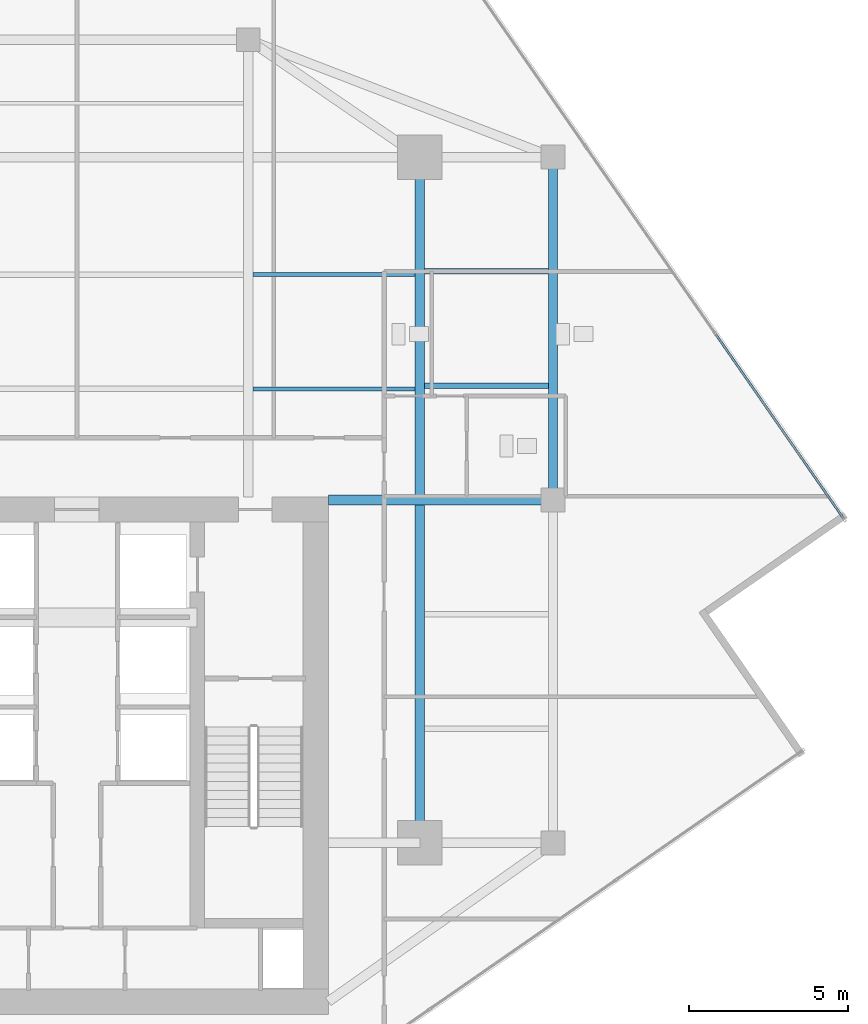
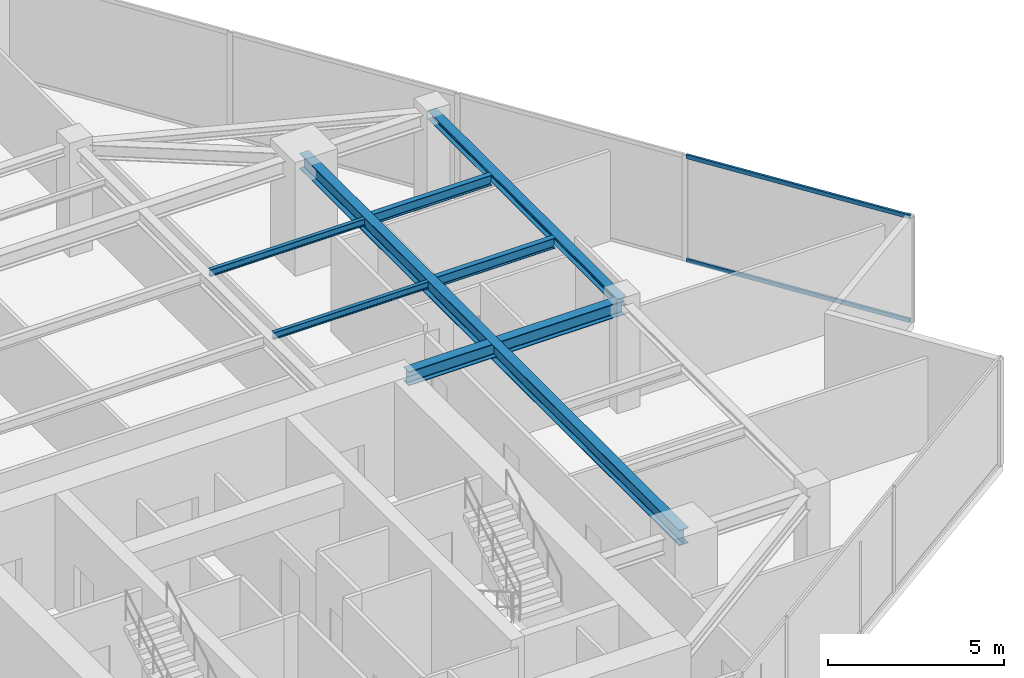
# One storey, part 10 of 21: 7 beams, 2 members, 1 element without a shape of its own.
"""IFC4 building model written with IfcOpenShell, lengths in metres."""

import ifcopenshell
import ifcopenshell.guid

model = None  # the IFC model being written
_history = None  # IfcOwnerHistory: only IFC2X3 demands one
_inside = {}  # id of a spatial element -> (the spatial element, [elements in it])
_under = {}  # id of a project, library or spatial element -> (it, [spatial elements below it])
_declared = {}  # id of a project -> (the project, [libraries it declares])
_typed = {}  # id of a type object -> (the type object, [elements of that type])
_made_of = {}  # id of a material, layer set ... -> (it, [elements and type objects made of it])


def new_model(schema):
    """Start an empty IFC model of exactly this schema.

    Asked for "IFC4X3", IfcOpenShell would pick the latest addendum, in which some entities
    have other attributes; the version numbers below select the first issue.
    IFC2X3 requires an IfcOwnerHistory on every rooted entity: one is made here for all.
    """
    global model, _history
    if schema == "IFC4X3":
        model = ifcopenshell.file(schema_version=(4, 3, 0, 0))
    else:
        model = ifcopenshell.file(schema=schema)
    _inside.clear()
    _under.clear()
    _declared.clear()
    _typed.clear()
    _made_of.clear()
    _history = None
    if model.schema == "IFC2X3":
        org = make("IfcOrganization", Name="unknown")
        user = make(
            "IfcPersonAndOrganization",
            ThePerson=make("IfcPerson", FamilyName="unknown"),
            TheOrganization=org,
        )
        app = make(
            "IfcApplication",
            ApplicationDeveloper=org,
            Version="unknown",
            ApplicationFullName="unknown",
            ApplicationIdentifier="unknown",
        )
        _history = make(
            "IfcOwnerHistory",
            OwningUser=user,
            OwningApplication=app,
            ChangeAction="ADDED",
            CreationDate=0,
        )
    return model


def make(cls, **values):
    """One entity of the class cls with the attributes given. An attribute that is None is left unset."""
    return model.create_entity(
        cls, **{name: value for name, value in values.items() if value is not None}
    )


def rooted(cls, **values):
    """An entity with a GlobalId (a new one), such as an element, a storey or a relation."""
    return make(cls, GlobalId=ifcopenshell.guid.new(), OwnerHistory=_history, **values)


def si_unit(unit_type, name, prefix=None):
    """IfcSIUnit, for example si_unit("LENGTHUNIT", "METRE", prefix="MILLI")."""
    return make("IfcSIUnit", UnitType=unit_type, Prefix=prefix, Name=name)


def assignment(units):
    """IfcUnitAssignment: the units of a project."""
    return None if units is None else make("IfcUnitAssignment", Units=units)


def point(xyz):
    """IfcCartesianPoint."""
    return None if xyz is None else make("IfcCartesianPoint", Coordinates=xyz)


def direction(xyz):
    """IfcDirection."""
    return None if xyz is None else make("IfcDirection", DirectionRatios=xyz)


def frame(location, z_axis=None, x_axis=None):
    """IfcAxis2Placement3D, a coordinate frame: its origin and axes. An axis left out is left unset."""
    return make(
        "IfcAxis2Placement3D",
        Location=point(location),
        Axis=direction(z_axis),
        RefDirection=direction(x_axis),
    )


def frame_2d(location, x_axis=None):
    """IfcAxis2Placement2D, a coordinate frame in the plane: its origin and x axis."""
    return make(
        "IfcAxis2Placement2D", Location=point(location), RefDirection=direction(x_axis)
    )


def origin():
    """The frame at (0, 0, 0) with its axes left unset."""
    return frame((0.0, 0.0, 0.0))


def origin_2d():
    """The frame at (0, 0) in the plane with its x axis left unset."""
    return frame_2d((0.0, 0.0))


def place(relative_to, where):
    """IfcLocalPlacement: puts the frame where relative to a parent placement (None: the world)."""
    return make(
        "IfcLocalPlacement", PlacementRelTo=relative_to, RelativePlacement=where
    )


def context(
    kind, dimensions, precision=None, world=None, true_north=None, identifier=None
):
    """IfcGeometricRepresentationContext, for example the 3D "Model" context."""
    return make(
        "IfcGeometricRepresentationContext",
        ContextIdentifier=identifier,
        ContextType=kind,
        CoordinateSpaceDimension=dimensions,
        Precision=precision,
        WorldCoordinateSystem=world,
        TrueNorth=true_north,
    )


def subcontext(parent, identifier, kind, view, scale=None):
    """IfcGeometricRepresentationSubContext, for example "Body" below "Model"."""
    return make(
        "IfcGeometricRepresentationSubContext",
        ContextIdentifier=identifier,
        ContextType=kind,
        ParentContext=parent,
        TargetScale=scale,
        TargetView=view,
    )


def project(units=None, contexts=None):
    """IfcProject with its units and contexts."""
    return rooted(
        "IfcProject",
        Name="project",
        RepresentationContexts=contexts,
        UnitsInContext=assignment(units),
    )


def spatial(cls, under=None, at=None, **own):
    """A site, building, storey or space (cls), placed at a placement, below another one or the project."""
    s = rooted(cls, ObjectPlacement=at, **own)
    if under is not None:
        _under.setdefault(under.id(), (under, []))[1].append(s)
    return s


def profile(cls, at=None, kind="AREA", **sizes):
    """A parametric profile (cls). Its sizes go by their IFC names, for example OverallWidth=200.0."""
    return make(cls, ProfileType=kind, Position=at, **sizes)


def hollow_rectangle(**sizes):
    """IfcRectangleHollowProfileDef."""
    return profile("IfcRectangleHollowProfileDef", **sizes)


def i_section(**sizes):
    """IfcIShapeProfileDef."""
    return profile("IfcIShapeProfileDef", **sizes)


def extrude(swept, where, along, depth):
    """IfcExtrudedAreaSolid: the profile swept, set in the frame where, extruded along a direction by depth."""
    return make(
        "IfcExtrudedAreaSolid",
        SweptArea=swept,
        Position=where,
        ExtrudedDirection=direction(along),
        Depth=depth,
    )


def shape(context_of_items, identifier, shape_type, items):
    """IfcShapeRepresentation: the items that make up one representation, for example the "Body"."""
    return make(
        "IfcShapeRepresentation",
        ContextOfItems=context_of_items,
        RepresentationIdentifier=identifier,
        RepresentationType=shape_type,
        Items=items,
    )


def source(mapping_origin, context_of_items, identifier, shape_type, items):
    """IfcRepresentationMap: a shape defined once, which mapped items show again and again."""
    return make(
        "IfcRepresentationMap",
        MappingOrigin=mapping_origin,
        MappedRepresentation=shape(context_of_items, identifier, shape_type, items),
    )


def transform(
    local_origin,
    x_axis=None,
    y_axis=None,
    z_axis=None,
    scale=None,
    scale2=None,
    scale3=None,
    uniform=True,
):
    """IfcCartesianTransformationOperator3D, or its non-uniform kind. x_axis, y_axis, z_axis: its Axis1, 2, 3."""
    if uniform:
        return make(
            "IfcCartesianTransformationOperator3D",
            Axis1=direction(x_axis),
            Axis2=direction(y_axis),
            LocalOrigin=point(local_origin),
            Scale=scale,
            Axis3=direction(z_axis),
        )
    return make(
        "IfcCartesianTransformationOperator3DnonUniform",
        Axis1=direction(x_axis),
        Axis2=direction(y_axis),
        LocalOrigin=point(local_origin),
        Scale=scale,
        Axis3=direction(z_axis),
        Scale2=scale2,
        Scale3=scale3,
    )


def mapped(mapping_source, mapping_target):
    """IfcMappedItem: shows the shape of a source again, moved by a transform."""
    return make(
        "IfcMappedItem", MappingSource=mapping_source, MappingTarget=mapping_target
    )


def material(Name=None, Category=None):
    """IfcMaterial."""
    return make("IfcMaterial", Name=Name, Category=Category)


def material_profile(
    of_material, cross_section, Name=None, Category=None, Priority=None
):
    """IfcMaterialProfile: a cross section and its material."""
    return make(
        "IfcMaterialProfile",
        Name=Name,
        Material=of_material,
        Profile=cross_section,
        Priority=Priority,
        Category=Category,
    )


def profile_set(profiles, Name=None, composite=None):
    """IfcMaterialProfileSet."""
    return make(
        "IfcMaterialProfileSet",
        Name=Name,
        MaterialProfiles=profiles,
        CompositeProfile=composite,
    )


def made_of(thing, what):
    """Note that an element or type object is made of a material, layer set ...; save() writes the relation."""
    if what is not None:
        _made_of.setdefault(what.id(), (what, []))[1].append(thing)
    return thing


def type_object(cls, material=None, **own):
    """A type object (cls), such as IfcWallType, which elements share."""
    return made_of(rooted(cls, **own), material)


def type_shapes(of_type, sources):
    """Give a type object the sources (RepresentationMaps) that its elements show as mapped items."""
    of_type.RepresentationMaps = sources


def element(
    cls,
    number,
    at=None,
    inside=None,
    cuts=None,
    type_object=None,
    material=None,
    context=None,
    identifier="Body",
    shape_type=None,
    held_by="IfcProductDefinitionShape",
    body=None,
    shapes=None,
    **own,
):
    """One element of the class cls, such as IfcWall. Its Tag is "e" and its number.

    at: its placement. inside: the storey or other place that contains it. cuts: it is an
    opening in that element (IfcRelVoidsElement). A single representation is given by context,
    identifier, shape_type and body (its items); several are given by shapes. held_by: the class
    of the entity that holds the representations. save() writes the other relations.
    """
    e = rooted(cls, Tag="e%d" % number, ObjectPlacement=at, **own)
    if body is not None:
        shapes = [shape(context, identifier, shape_type, body)]
    if shapes is not None:
        e.Representation = make(held_by, Representations=shapes)
    if inside is not None:
        _inside.setdefault(inside.id(), (inside, []))[1].append(e)
    if cuts is not None:
        rooted(
            "IfcRelVoidsElement", RelatingBuildingElement=cuts, RelatedOpeningElement=e
        )
    if type_object is not None:
        _typed.setdefault(type_object.id(), (type_object, []))[1].append(e)
    return made_of(e, material)


def aggregate(whole, parts):
    """IfcRelAggregates: a whole, such as a stair, and the parts it consists of."""
    return rooted("IfcRelAggregates", RelatingObject=whole, RelatedObjects=parts)


def save(model, path):
    """Write the relations noted so far, then the file.

    IfcRelAggregates (storeys below a building ...), IfcRelContainedInSpatialStructure (elements
    in a storey), IfcRelDefinesByType, IfcRelAssociatesMaterial and IfcRelDeclares: one each for
    every whole, place, type object, material and project.
    """
    for whole, parts in _under.values():
        aggregate(whole, parts)
    for where, things in _inside.values():
        rooted(
            "IfcRelContainedInSpatialStructure",
            RelatedElements=things,
            RelatingStructure=where,
        )
    for kind, things in _typed.values():
        rooted("IfcRelDefinesByType", RelatedObjects=things, RelatingType=kind)
    for what, things in _made_of.values():
        rooted("IfcRelAssociatesMaterial", RelatedObjects=things, RelatingMaterial=what)
    for by, libraries in _declared.values():
        rooted("IfcRelDeclares", RelatingContext=by, RelatedDefinitions=libraries)
    model.write(path)


model = new_model("IFC4")

# Units and contexts
model_context = context("Model", 3, precision=1e-05, world=origin(), true_north=direction((0.0, 1.0)))
body_context = subcontext(model_context, "Body", "Model", "MODEL_VIEW")
ifc_project = project(units=[si_unit("LENGTHUNIT", "METRE"), si_unit("AREAUNIT", "SQUARE_METRE"), si_unit("VOLUMEUNIT", "CUBIC_METRE"), si_unit("PLANEANGLEUNIT", "RADIAN"), si_unit("MASSUNIT", "GRAM", prefix="KILO")], contexts=[model_context])

# Site, building, storey
site_placement = place(None, origin())
site = spatial("IfcSite", under=ifc_project, at=site_placement, CompositionType="ELEMENT")
building_placement = place(site_placement, origin())
building = spatial("IfcBuilding", under=site, at=building_placement, Name="Krantzveldt Concourse Tower", CompositionType="ELEMENT")
storey_placement = place(building_placement, frame((0.0, 0.0, 271.35009765625)))
storey = spatial("IfcBuildingStorey", under=building, at=storey_placement, Name="L66", CompositionType="ELEMENT", Elevation=271.35009765625)

# Beams
ifc_material_1 = material(Name="Steel S355JR", Category="steel")
ifc_material_profile_1 = material_profile(ifc_material_1, i_section(OverallWidth=0.300048828125, OverallDepth=0.489990234375, WebThickness=0.011962890625, FlangeThickness=0.02294921875, FilletRadius=0.027099609375, at=origin_2d()), Name="Steel S355JR", Category="steel")
ifc_profile_set_1 = profile_set([ifc_material_profile_1], Name="Steel S355JR - HEA 500")
beam_type_1 = type_object("IfcBeamType", Name="BM-B-HEA500", PredefinedType="BEAM", material=ifc_profile_set_1)
shared_shape_1 = source(origin(), body_context, "Body", "SweptSolid", [
    extrude(i_section(OverallWidth=0.300048828125, OverallDepth=0.489990234375, WebThickness=0.011962890625, FlangeThickness=0.02294921875, FilletRadius=0.027099609375, at=origin_2d()), origin(), (0.0, 0.0, 1.0), 7.080078125),
])
type_shapes(beam_type_1, [shared_shape_1])
beam_1_placement = place(storey_placement, frame((43.919921875, 26.699951171875, 3.4248046875), z_axis=(1.0, 0.0, 0.0), x_axis=(0.0, 1.0, 0.0)))
element("IfcBeam", 1, at=beam_1_placement, inside=storey, type_object=beam_type_1, Name="L66 Tower Girder BG-CE2", PredefinedType="BEAM", context=body_context, shape_type="MappedRepresentation", body=[
    mapped(shared_shape_1, transform((0.0, 0.0, 0.0), x_axis=(1.0, 0.0, 0.0), y_axis=(0.0, 1.0, 0.0), z_axis=(0.0, 0.0, 1.0), scale=1.0)),
])
ifc_material_profile_2 = material_profile(ifc_material_1, i_section(OverallWidth=0.300048828125, OverallDepth=0.5400390625, WebThickness=0.012451171875, FlangeThickness=0.02392578125, FilletRadius=0.027099609375, at=origin_2d()), Name="Steel S355JR", Category="steel")
ifc_profile_set_2 = profile_set([ifc_material_profile_2], Name="Steel S355JR - HEA 550")
beam_type_2 = type_object("IfcBeamType", Name="BM-B-HEA550", PredefinedType="BEAM", material=ifc_profile_set_2)
shared_shape_2 = source(origin(), body_context, "Body", "SweptSolid", [
    extrude(i_section(OverallWidth=0.300048828125, OverallDepth=0.5400390625, WebThickness=0.012451171875, FlangeThickness=0.02392578125, FilletRadius=0.027099609375, at=origin_2d()), origin(), (0.0, 0.0, 1.0), 21.60009765625),
])
type_shapes(beam_type_2, [shared_shape_2])
beam_2_placement = place(storey_placement, frame((46.800048828125, 15.89990234375, 3.39990234375), z_axis=(0.0, 1.0, 0.0), x_axis=(-1.0, 0.0, 0.0)))
element("IfcBeam", 2, at=beam_2_placement, inside=storey, type_object=beam_type_2, Name="L66 Tower Girder BG-ME", PredefinedType="BEAM", context=body_context, shape_type="MappedRepresentation", body=[
    mapped(shared_shape_2, transform((0.0, 0.0, 0.0), x_axis=(1.0, 0.0, 0.0), y_axis=(0.0, 1.0, 0.0), z_axis=(0.0, 0.0, 1.0), scale=1.0)),
])
ifc_material_profile_3 = material_profile(ifc_material_1, i_section(OverallWidth=0.2900390625, OverallDepth=0.2900390625, WebThickness=0.008544921875, FlangeThickness=0.013916015625, FilletRadius=0.027099609375, at=origin_2d()), Name="Steel S355JR", Category="steel")
ifc_profile_set_3 = profile_set([ifc_material_profile_3], Name="Steel S355JR - HEA 300")
beam_type_3 = type_object("IfcBeamType", Name="BM-SP-HEA300", PredefinedType="SPANDREL", material=ifc_profile_set_3)
shared_shape_3 = source(origin(), body_context, "Body", "SweptSolid", [
    extrude(i_section(OverallWidth=0.2900390625, OverallDepth=0.2900390625, WebThickness=0.008544921875, FlangeThickness=0.013916015625, FilletRadius=0.027099609375, at=origin_2d()), origin(), (0.0, 0.0, 1.0), 10.800048828125),
])
type_shapes(beam_type_3, [shared_shape_3])
beam_3_placement = place(storey_placement, frame((51.0, 37.5, 3.52490234375), z_axis=(0.0, -1.0, 0.0), x_axis=(1.0, 0.0, 0.0)))
element("IfcBeam", 3, at=beam_3_placement, inside=storey, type_object=beam_type_3, Name="L66 Tower Girder SP-R06", PredefinedType="SPANDREL", context=body_context, shape_type="MappedRepresentation", body=[
    mapped(shared_shape_3, transform((0.0, 0.0, 0.0), x_axis=(1.0, 0.0, 0.0), y_axis=(0.0, 1.0, 0.0), z_axis=(0.0, 0.0, 1.0), scale=1.0)),
])
ifc_material_profile_4 = material_profile(ifc_material_1, i_section(OverallWidth=0.1201171875, OverallDepth=0.239990234375, WebThickness=0.006103515625, FlangeThickness=0.009765625, FilletRadius=0.014892578125, at=origin_2d()), Name="Steel S355JR", Category="steel")
ifc_profile_set_4 = profile_set([ifc_material_profile_4], Name="Steel S355JR - IPE 240")
beam_type_4 = type_object("IfcBeamType", Name="BM-LN-IPE240", PredefinedType="LINTEL", material=ifc_profile_set_4)
shared_shape_4 = source(origin(), body_context, "Body", "SweptSolid", [
    extrude(i_section(OverallWidth=0.1201171875, OverallDepth=0.239990234375, WebThickness=0.006103515625, FlangeThickness=0.009765625, FilletRadius=0.014892578125, at=origin_2d()), origin(), (0.0, 0.0, 1.0), 5.099853515625),
])
type_shapes(beam_type_4, [shared_shape_4])
for number, where, z_axis, x_axis, name in (
    (4, (41.550048828125, 30.199951171875, 3.5498046875), (1.0, 0.0, 0.0), (0.0, 1.0, 0.0), "L66 Secondary Floor Joist JN-E1"),
    (5, (41.550048828125, 33.800048828125, 3.5498046875), (1.0, 0.0, 0.0), (0.0, 1.0, 0.0), "L66 Secondary Floor Joist JN-E2"),
):
    element("IfcBeam", number, at=place(storey_placement, frame(where, z_axis=z_axis, x_axis=x_axis)), inside=storey, type_object=beam_type_4, Name=name, PredefinedType="LINTEL", context=body_context, shape_type="MappedRepresentation", body=[
        mapped(shared_shape_4, transform((0.0, 0.0, 0.0), x_axis=(1.0, 0.0, 0.0), y_axis=(0.0, 1.0, 0.0), z_axis=(0.0, 0.0, 1.0), scale=1.0)),
    ])
ifc_material_profile_5 = material_profile(ifc_material_1, i_section(OverallWidth=0.169921875, OverallDepth=0.360107421875, WebThickness=0.008056640625, FlangeThickness=0.0126953125, FilletRadius=0.01806640625, at=origin_2d()), Name="Steel S355JR", Category="steel")
ifc_profile_set_5 = profile_set([ifc_material_profile_5], Name="Steel S355JR - IPE 360")
beam_type_5 = type_object("IfcBeamType", Name="BM-J-IPE360", PredefinedType="JOIST", material=ifc_profile_set_5)
shared_shape_5 = source(origin(), body_context, "Body", "SweptSolid", [
    extrude(i_section(OverallWidth=0.169921875, OverallDepth=0.360107421875, WebThickness=0.008056640625, FlangeThickness=0.0126953125, FilletRadius=0.01806640625, at=origin_2d()), origin(), (0.0, 0.0, 1.0), 3.900146484375),
])
type_shapes(beam_type_5, [shared_shape_5])
for number, where, z_axis, x_axis, name in (
    (6, (46.949951171875, 30.300048828125, 3.489990234375), (1.0, 0.0, 0.0), (0.0, 1.0, 0.0), "L66 Secondary Floor Joist JE-3"),
    (7, (46.949951171875, 33.89990234375, 3.489990234375), (1.0, 0.0, 0.0), (0.0, 1.0, 0.0), "L66 Secondary Floor Joist JE-4"),
):
    element("IfcBeam", number, at=place(storey_placement, frame(where, z_axis=z_axis, x_axis=x_axis)), inside=storey, type_object=beam_type_5, Name=name, PredefinedType="JOIST", context=body_context, shape_type="MappedRepresentation", body=[
        mapped(shared_shape_5, transform((0.0, 0.0, 0.0), x_axis=(1.0, 0.0, 0.0), y_axis=(0.0, 1.0, 0.0), z_axis=(0.0, 0.0, 1.0), scale=1.0)),
    ])

# Curtain wall, members
ifc_material_2 = material(Name="Anodised aluminium 6063-T6", Category="aluminium")
curtain_wall_type = type_object("IfcCurtainWallType", Name="CW4", PredefinedType="USERDEFINED", material=ifc_material_2)
curtain_wall_placement = place(storey_placement, origin())
curtain_wall = element("IfcCurtainWall", 8, at=curtain_wall_placement, inside=storey, type_object=curtain_wall_type, Name="CW-L66-F14", ObjectType="UNITISED CURTAIN WALL", PredefinedType="USERDEFINED")
ifc_material_profile_6 = material_profile(ifc_material_2, hollow_rectangle(XDim=0.070068359375, YDim=0.139892578125, WallThickness=0.0048828125, at=origin_2d()), Name="Anodised aluminium 6063-T6", Category="aluminium")
ifc_profile_set_6 = profile_set([ifc_material_profile_6], Name="Anodised aluminium 6063-T6 - ALU-TRAN 140x70x5")
member_type = type_object("IfcMemberType", Name="CW-TRN-150", PredefinedType="USERDEFINED", material=ifc_profile_set_6)
shared_shape_6 = source(origin(), body_context, "Body", "SweptSolid", [
    extrude(hollow_rectangle(XDim=0.070068359375, YDim=0.139892578125, WallThickness=0.0048828125, at=origin_2d()), origin(), (0.0, 0.0, 1.0), 7.044921875),
])
type_shapes(member_type, [shared_shape_6])
member_1_placement = place(storey_placement, frame((60.141357421875, 26.128662109375, 0.034912109375), z_axis=(-0.570008026718, 0.821639123629, 0.0), x_axis=(-0.821639123629, -0.570008026718, 0.0)))
member_1 = element("IfcMember", 9, at=member_1_placement, type_object=member_type, Name="CW-Z56 transom 1.1", ObjectType="TRANSOM", PredefinedType="USERDEFINED", context=body_context, shape_type="MappedRepresentation", body=[
    mapped(shared_shape_6, transform((0.0, 0.0, 0.0), x_axis=(1.0, 0.0, 0.0), y_axis=(0.0, 1.0, 0.0), z_axis=(0.0, 0.0, 1.0), scale=1.0)),
])
member_2_placement = place(storey_placement, frame((60.141357421875, 26.128662109375, 3.635009765625), z_axis=(-0.570008026718, 0.821639123629, 0.0), x_axis=(-0.821639123629, -0.570008026718, 0.0)))
member_2 = element("IfcMember", 10, at=member_2_placement, type_object=member_type, Name="CW-Z56 transom 1.2", ObjectType="TRANSOM", PredefinedType="USERDEFINED", context=body_context, shape_type="MappedRepresentation", body=[
    mapped(shared_shape_6, transform((0.0, 0.0, 0.0), x_axis=(1.0, 0.0, 0.0), y_axis=(0.0, 1.0, 0.0), z_axis=(0.0, 0.0, 1.0), scale=1.0)),
])
aggregate(curtain_wall, [member_1, member_2])

save(model, "model.ifc")
